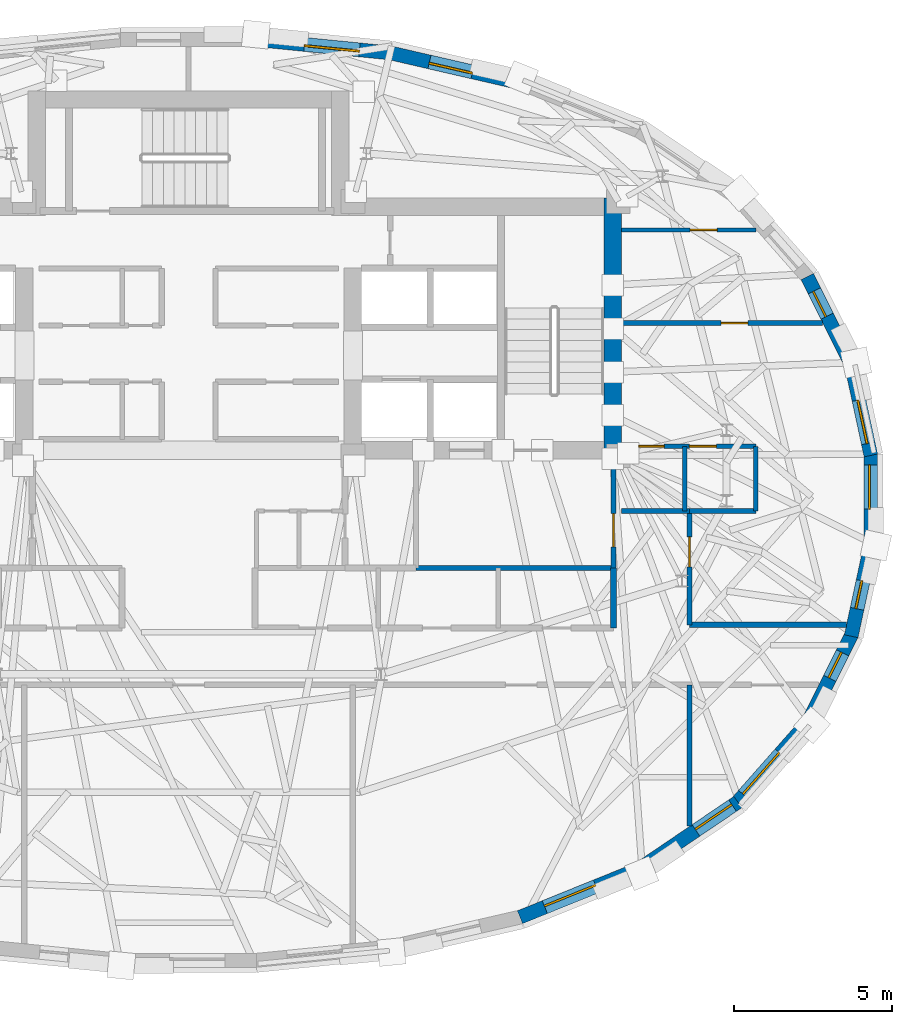
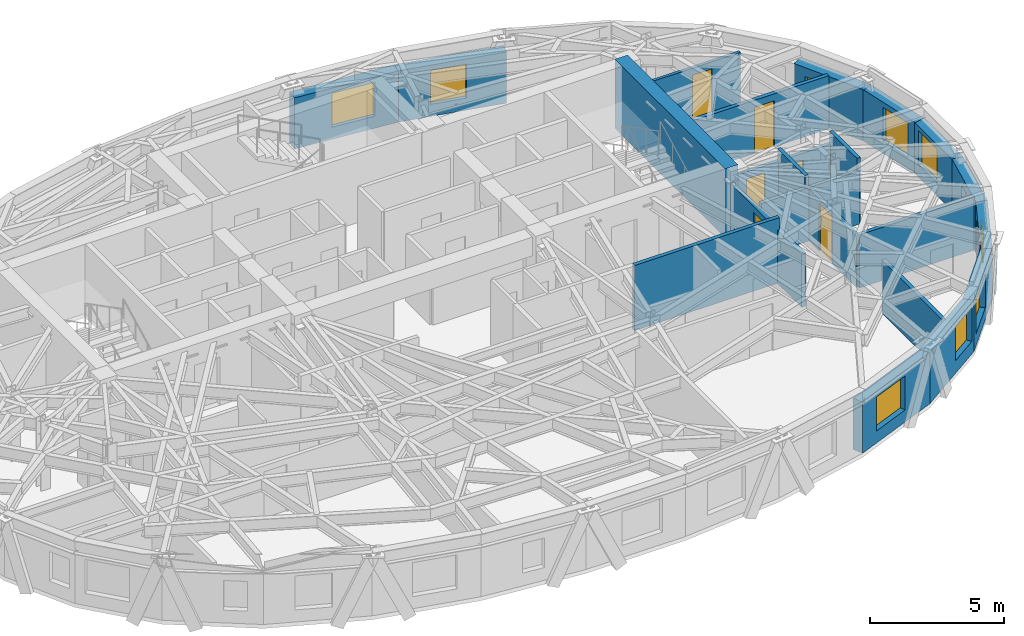
# One storey, part 9 of 13: 24 walls, 10 windows, 6 doors, 16 openings.
"""IFC4 building model written with IfcOpenShell, lengths in metres."""

import ifcopenshell
import ifcopenshell.guid

model = None  # the IFC model being written
_history = None  # IfcOwnerHistory: only IFC2X3 demands one
_inside = {}  # id of a spatial element -> (the spatial element, [elements in it])
_under = {}  # id of a project, library or spatial element -> (it, [spatial elements below it])
_declared = {}  # id of a project -> (the project, [libraries it declares])
_typed = {}  # id of a type object -> (the type object, [elements of that type])
_made_of = {}  # id of a material, layer set ... -> (it, [elements and type objects made of it])


def new_model(schema):
    """Start an empty IFC model of exactly this schema.

    Asked for "IFC4X3", IfcOpenShell would pick the latest addendum, in which some entities
    have other attributes; the version numbers below select the first issue.
    IFC2X3 requires an IfcOwnerHistory on every rooted entity: one is made here for all.
    """
    global model, _history
    if schema == "IFC4X3":
        model = ifcopenshell.file(schema_version=(4, 3, 0, 0))
    else:
        model = ifcopenshell.file(schema=schema)
    _inside.clear()
    _under.clear()
    _declared.clear()
    _typed.clear()
    _made_of.clear()
    _history = None
    if model.schema == "IFC2X3":
        org = make("IfcOrganization", Name="unknown")
        user = make(
            "IfcPersonAndOrganization",
            ThePerson=make("IfcPerson", FamilyName="unknown"),
            TheOrganization=org,
        )
        app = make(
            "IfcApplication",
            ApplicationDeveloper=org,
            Version="unknown",
            ApplicationFullName="unknown",
            ApplicationIdentifier="unknown",
        )
        _history = make(
            "IfcOwnerHistory",
            OwningUser=user,
            OwningApplication=app,
            ChangeAction="ADDED",
            CreationDate=0,
        )
    return model


def make(cls, **values):
    """One entity of the class cls with the attributes given. An attribute that is None is left unset."""
    return model.create_entity(
        cls, **{name: value for name, value in values.items() if value is not None}
    )


def rooted(cls, **values):
    """An entity with a GlobalId (a new one), such as an element, a storey or a relation."""
    return make(cls, GlobalId=ifcopenshell.guid.new(), OwnerHistory=_history, **values)


def si_unit(unit_type, name, prefix=None):
    """IfcSIUnit, for example si_unit("LENGTHUNIT", "METRE", prefix="MILLI")."""
    return make("IfcSIUnit", UnitType=unit_type, Prefix=prefix, Name=name)


def assignment(units):
    """IfcUnitAssignment: the units of a project."""
    return None if units is None else make("IfcUnitAssignment", Units=units)


def point(xyz):
    """IfcCartesianPoint."""
    return None if xyz is None else make("IfcCartesianPoint", Coordinates=xyz)


def direction(xyz):
    """IfcDirection."""
    return None if xyz is None else make("IfcDirection", DirectionRatios=xyz)


def frame(location, z_axis=None, x_axis=None):
    """IfcAxis2Placement3D, a coordinate frame: its origin and axes. An axis left out is left unset."""
    return make(
        "IfcAxis2Placement3D",
        Location=point(location),
        Axis=direction(z_axis),
        RefDirection=direction(x_axis),
    )


def frame_2d(location, x_axis=None):
    """IfcAxis2Placement2D, a coordinate frame in the plane: its origin and x axis."""
    return make(
        "IfcAxis2Placement2D", Location=point(location), RefDirection=direction(x_axis)
    )


def origin():
    """The frame at (0, 0, 0) with its axes left unset."""
    return frame((0.0, 0.0, 0.0))


def place(relative_to, where):
    """IfcLocalPlacement: puts the frame where relative to a parent placement (None: the world)."""
    return make(
        "IfcLocalPlacement", PlacementRelTo=relative_to, RelativePlacement=where
    )


def context(
    kind, dimensions, precision=None, world=None, true_north=None, identifier=None
):
    """IfcGeometricRepresentationContext, for example the 3D "Model" context."""
    return make(
        "IfcGeometricRepresentationContext",
        ContextIdentifier=identifier,
        ContextType=kind,
        CoordinateSpaceDimension=dimensions,
        Precision=precision,
        WorldCoordinateSystem=world,
        TrueNorth=true_north,
    )


def subcontext(parent, identifier, kind, view, scale=None):
    """IfcGeometricRepresentationSubContext, for example "Body" below "Model"."""
    return make(
        "IfcGeometricRepresentationSubContext",
        ContextIdentifier=identifier,
        ContextType=kind,
        ParentContext=parent,
        TargetScale=scale,
        TargetView=view,
    )


def project(units=None, contexts=None):
    """IfcProject with its units and contexts."""
    return rooted(
        "IfcProject",
        Name="project",
        RepresentationContexts=contexts,
        UnitsInContext=assignment(units),
    )


def spatial(cls, under=None, at=None, **own):
    """A site, building, storey or space (cls), placed at a placement, below another one or the project."""
    s = rooted(cls, ObjectPlacement=at, **own)
    if under is not None:
        _under.setdefault(under.id(), (under, []))[1].append(s)
    return s


def profile(cls, at=None, kind="AREA", **sizes):
    """A parametric profile (cls). Its sizes go by their IFC names, for example OverallWidth=200.0."""
    return make(cls, ProfileType=kind, Position=at, **sizes)


def rectangle(**sizes):
    """IfcRectangleProfileDef."""
    return profile("IfcRectangleProfileDef", **sizes)


def extrude(swept, where, along, depth):
    """IfcExtrudedAreaSolid: the profile swept, set in the frame where, extruded along a direction by depth."""
    return make(
        "IfcExtrudedAreaSolid",
        SweptArea=swept,
        Position=where,
        ExtrudedDirection=direction(along),
        Depth=depth,
    )


def shape(context_of_items, identifier, shape_type, items):
    """IfcShapeRepresentation: the items that make up one representation, for example the "Body"."""
    return make(
        "IfcShapeRepresentation",
        ContextOfItems=context_of_items,
        RepresentationIdentifier=identifier,
        RepresentationType=shape_type,
        Items=items,
    )


def material(Name=None, Category=None):
    """IfcMaterial."""
    return make("IfcMaterial", Name=Name, Category=Category)


def layer(
    of_material, thickness, ventilated=None, Name=None, Category=None, Priority=None
):
    """IfcMaterialLayer: one layer of a wall or slab, of a material (None: an air gap)."""
    return make(
        "IfcMaterialLayer",
        Material=of_material,
        LayerThickness=thickness,
        IsVentilated=ventilated,
        Name=Name,
        Category=Category,
        Priority=Priority,
    )


def layer_set(layers, Name=None):
    """IfcMaterialLayerSet."""
    return make("IfcMaterialLayerSet", MaterialLayers=layers, LayerSetName=Name)


def made_of(thing, what):
    """Note that an element or type object is made of a material, layer set ...; save() writes the relation."""
    if what is not None:
        _made_of.setdefault(what.id(), (what, []))[1].append(thing)
    return thing


def type_object(cls, material=None, **own):
    """A type object (cls), such as IfcWallType, which elements share."""
    return made_of(rooted(cls, **own), material)


def element(
    cls,
    number,
    at=None,
    inside=None,
    cuts=None,
    type_object=None,
    material=None,
    context=None,
    identifier="Body",
    shape_type=None,
    held_by="IfcProductDefinitionShape",
    body=None,
    shapes=None,
    **own,
):
    """One element of the class cls, such as IfcWall. Its Tag is "e" and its number.

    at: its placement. inside: the storey or other place that contains it. cuts: it is an
    opening in that element (IfcRelVoidsElement). A single representation is given by context,
    identifier, shape_type and body (its items); several are given by shapes. held_by: the class
    of the entity that holds the representations. save() writes the other relations.
    """
    e = rooted(cls, Tag="e%d" % number, ObjectPlacement=at, **own)
    if body is not None:
        shapes = [shape(context, identifier, shape_type, body)]
    if shapes is not None:
        e.Representation = make(held_by, Representations=shapes)
    if inside is not None:
        _inside.setdefault(inside.id(), (inside, []))[1].append(e)
    if cuts is not None:
        rooted(
            "IfcRelVoidsElement", RelatingBuildingElement=cuts, RelatedOpeningElement=e
        )
    if type_object is not None:
        _typed.setdefault(type_object.id(), (type_object, []))[1].append(e)
    return made_of(e, material)


def fill(opening, filler):
    """IfcRelFillsElement: the door or window that sits in an opening."""
    return rooted(
        "IfcRelFillsElement",
        RelatingOpeningElement=opening,
        RelatedBuildingElement=filler,
    )


def aggregate(whole, parts):
    """IfcRelAggregates: a whole, such as a stair, and the parts it consists of."""
    return rooted("IfcRelAggregates", RelatingObject=whole, RelatedObjects=parts)


def save(model, path):
    """Write the relations noted so far, then the file.

    IfcRelAggregates (storeys below a building ...), IfcRelContainedInSpatialStructure (elements
    in a storey), IfcRelDefinesByType, IfcRelAssociatesMaterial and IfcRelDeclares: one each for
    every whole, place, type object, material and project.
    """
    for whole, parts in _under.values():
        aggregate(whole, parts)
    for where, things in _inside.values():
        rooted(
            "IfcRelContainedInSpatialStructure",
            RelatedElements=things,
            RelatingStructure=where,
        )
    for kind, things in _typed.values():
        rooted("IfcRelDefinesByType", RelatedObjects=things, RelatingType=kind)
    for what, things in _made_of.values():
        rooted("IfcRelAssociatesMaterial", RelatedObjects=things, RelatingMaterial=what)
    for by, libraries in _declared.values():
        rooted("IfcRelDeclares", RelatingContext=by, RelatedDefinitions=libraries)
    model.write(path)


model = new_model("IFC4")

# Units and contexts
model_context = context("Model", 3, precision=1e-05, world=origin(), true_north=direction((0.0, 1.0)))
body_context = subcontext(model_context, "Body", "Model", "MODEL_VIEW")
ifc_project = project(units=[si_unit("LENGTHUNIT", "METRE"), si_unit("AREAUNIT", "SQUARE_METRE"), si_unit("VOLUMEUNIT", "CUBIC_METRE"), si_unit("PLANEANGLEUNIT", "RADIAN"), si_unit("MASSUNIT", "GRAM", prefix="KILO")], contexts=[model_context])

# Site, building, storey
site_placement = place(None, origin())
site = spatial("IfcSite", under=ifc_project, at=site_placement, CompositionType="ELEMENT")
building_placement = place(site_placement, origin())
building = spatial("IfcBuilding", under=site, at=building_placement, Name="Keldmark Tower", CompositionType="ELEMENT")
storey_placement = place(building_placement, frame((0.0, 0.0, 241.5)))
storey = spatial("IfcBuildingStorey", under=building, at=storey_placement, Name="L68", CompositionType="ELEMENT", Elevation=241.5)

# Walls
ifc_material_1 = material(Name="Heavy Acoustic Plumbing Chase Gypsum Assembly", Category="gypsum")
ifc_layer_1 = layer(ifc_material_1, 0.18994140625)
ifc_layer_set_1 = layer_set([ifc_layer_1], Name="Heavy Acoustic Plumbing Chase Gypsum Assembly")
wall_type_1 = type_object("IfcWallType", Name="Heavy Wet Wall 190 mm", PredefinedType="PLUMBINGWALL", material=ifc_layer_set_1)
wall_1_placement = place(storey_placement, frame((13.449951171875, -4.050048828125, 0.0), z_axis=(0.0, 0.0, 1.0), x_axis=(0.0, 1.0, 0.0)))
element("IfcWall", 1, at=wall_1_placement, inside=storey, type_object=wall_type_1, Name="L68 Heavy Wet Wall 190 mm SPK-E-E", PredefinedType="PLUMBINGWALL", context=body_context, shape_type="SweptSolid", body=[
    extrude(rectangle(XDim=1.900146484375, YDim=0.18994140625, at=frame_2d((0.9501953125, 0.0))), origin(), (0.0, 0.0, 1.0), 2.423095703125),
])
ifc_material_2 = material(Name="Concrete C50/60", Category="concrete")
ifc_layer_2 = layer(ifc_material_2, 0.550048828125)
ifc_layer_set_2 = layer_set([ifc_layer_2], Name="Concrete C50/60")
wall_type_2 = type_object("IfcWallType", Name="High-Rise Core Shear Wall 550 mm", PredefinedType="SHEAR", material=ifc_layer_set_2)
wall_2_placement = place(storey_placement, frame((13.425048828125, 1.300048828125, 0.0), z_axis=(0.0, 0.0, 1.0), x_axis=(0.0, 1.0, 0.0)))
element("IfcWall", 2, at=wall_2_placement, inside=storey, type_object=wall_type_2, Name="L68 East Core Outer Shear Wall", PredefinedType="SHEAR", context=body_context, shape_type="SweptSolid", body=[
    extrude(rectangle(XDim=8.25, YDim=0.550048828125, at=frame_2d((4.125, 0.0))), origin(), (0.0, 0.0, 1.0), 3.14990234375),
])

# Wall, opening, door
ifc_material_3 = material(Name="Acoustic Gypsum Board Interior Partition", Category="gypsum")
ifc_layer_3 = layer(ifc_material_3, 0.1298828125)
ifc_layer_set_3 = layer_set([ifc_layer_3], Name="Acoustic Gypsum Board Interior Partition")
wall_type_3 = type_object("IfcWallType", Name="Interior Partition 130 mm", PredefinedType="PARTITIONING", material=ifc_layer_set_3)
wall_3_placement = place(storey_placement, frame((13.699951171875, 8.550048828125, 0.0), z_axis=(0.0, 0.0, 1.0), x_axis=(1.0, 0.0, 0.0)))
wall_3 = element("IfcWall", 3, at=wall_3_placement, inside=storey, type_object=wall_type_3, Name="L68 Interior Partition 130 mm UA-NDIV2", PredefinedType="PARTITIONING", context=body_context, shape_type="SweptSolid", body=[
    extrude(rectangle(XDim=4.25830078125, YDim=0.1298828125, at=frame_2d((2.129150390625, 0.0))), origin(), (0.0, 0.0, 1.0), 2.423095703125),
])
opening_1_placement = place(wall_3_placement, frame((2.176025390625, 0.0, 0.0)))
opening_1 = element("IfcOpeningElement", 4, at=opening_1_placement, cuts=wall_3, Name="Opening D-IN085", PredefinedType="OPENING", context=body_context, shape_type="SweptSolid", body=[
    extrude(rectangle(XDim=0.85009765625, YDim=2.10009765625, at=frame_2d((0.425048828125, 1.050048828125))), frame((0.0, 0.074951171875, 0.0), z_axis=(0.0, -1.0, 0.0), x_axis=(1.0, 0.0, 0.0)), (0.0, 0.0, 1.0), 0.14990234375),
])
ifc_material_4 = material(Name="Painted Architectural Wood", Category="wood")
door_type_1 = type_object("IfcDoorType", Name="Interior Door 850x2100", OperationType="NOTDEFINED", PredefinedType="DOOR", material=ifc_material_4)
door_1_placement = place(opening_1_placement, origin())
door_1 = element("IfcDoor", 5, at=door_1_placement, inside=storey, type_object=door_type_1, Name="L68 Interior Door 850x2100 D-UA-BR2-L68", OperationType="SINGLE_SWING_RIGHT", OverallHeight=2.10009765625, OverallWidth=0.85009765625, PredefinedType="DOOR", context=body_context, shape_type="SweptSolid", body=[
    extrude(rectangle(XDim=0.85009765625, YDim=2.10009765625, at=frame_2d((0.425048828125, 1.050048828125))), frame((0.0, 0.02490234375, 0.0), z_axis=(0.0, -1.0, 0.0), x_axis=(1.0, 0.0, 0.0)), (0.0, 0.0, 1.0), 0.050048828125),
])
fill(opening_1, door_1)

# Wall
ifc_material_5 = material(Name="Type X Fire-Rated Gypsum Partition Assembly", Category="gypsum")
ifc_layer_4 = layer(ifc_material_5, 0.1650390625)
ifc_layer_set_4 = layer_set([ifc_layer_4], Name="Type X Fire-Rated Gypsum Partition Assembly")
wall_type_4 = type_object("IfcWallType", Name="Rated Partition 165 mm", PredefinedType="PARTITIONING", material=ifc_layer_set_4)
wall_4_placement = place(storey_placement, frame((7.199951171875, -2.14990234375, 0.0), z_axis=(0.0, 0.0, 1.0), x_axis=(1.0, 0.0, 0.0)))
element("IfcWall", 6, at=wall_4_placement, inside=storey, type_object=wall_type_4, Name="L68 Rated Partition 165 mm FSAE-E-S", PredefinedType="PARTITIONING", context=body_context, shape_type="SweptSolid", body=[
    extrude(rectangle(XDim=6.25, YDim=0.1650390625, at=frame_2d((3.125, 0.0))), origin(), (0.0, 0.0, 1.0), 2.969970703125),
])

# Wall, opening, door
wall_5_placement = place(storey_placement, frame((13.449951171875, -2.14990234375, 0.0), z_axis=(0.0, 0.0, 1.0), x_axis=(0.0, 1.0, 0.0)))
wall_5 = element("IfcWall", 7, at=wall_5_placement, inside=storey, type_object=wall_type_4, Name="L68 Rated Partition 165 mm FSAE-E-E", PredefinedType="PARTITIONING", context=body_context, shape_type="SweptSolid", body=[
    extrude(rectangle(XDim=3.5, YDim=0.1650390625, at=frame_2d((1.75, 0.0))), origin(), (0.0, 0.0, 1.0), 2.423095703125),
])
opening_2_placement = place(wall_5_placement, frame((0.669921875, 0.0, 0.0)))
opening_2 = element("IfcOpeningElement", 8, at=opening_2_placement, cuts=wall_5, Name="Opening D-FL105", PredefinedType="OPENING", context=body_context, shape_type="SweptSolid", body=[
    extrude(rectangle(XDim=1.050048828125, YDim=2.14990234375, at=frame_2d((0.52490234375, 1.074951171875))), frame((0.0, 0.092529296875, 0.0), z_axis=(0.0, -1.0, 0.0), x_axis=(1.0, 0.0, 0.0)), (0.0, 0.0, 1.0), 0.18505859375),
])
ifc_material_6 = material(Name="Fire-Rated Mineral-Core Door and Vision Lite", Category="metal")
door_type_2 = type_object("IfcDoorType", Name="Fire Lobby Door 1050x2150", OperationType="NOTDEFINED", PredefinedType="DOOR", material=ifc_material_6)
door_2_placement = place(opening_2_placement, origin())
door_2 = element("IfcDoor", 9, at=door_2_placement, inside=storey, type_object=door_type_2, Name="L68 Fire Lobby Door 1050x2150 D-FSAEE-OUT-L68", OperationType="SINGLE_SWING_RIGHT", OverallHeight=2.14990234375, OverallWidth=1.050048828125, PredefinedType="DOOR", context=body_context, shape_type="SweptSolid", body=[
    extrude(rectangle(XDim=1.050048828125, YDim=2.14990234375, at=frame_2d((0.52490234375, 1.074951171875))), frame((0.0, 0.02490234375, 0.0), z_axis=(0.0, -1.0, 0.0), x_axis=(1.0, 0.0, 0.0)), (0.0, 0.0, 1.0), 0.050048828125),
])
fill(opening_2, door_2)

# Wall
wall_6_placement = place(storey_placement, frame((15.85009765625, -3.949951171875, 0.0), z_axis=(0.0, 0.0, 1.0), x_axis=(1.0, 0.0, 0.0)))
element("IfcWall", 10, at=wall_6_placement, inside=storey, type_object=wall_type_4, Name="L68 Rated Partition 165 mm RCOR-EN-OUT", PredefinedType="PARTITIONING", context=body_context, shape_type="SweptSolid", body=[
    extrude(rectangle(XDim=4.9638671875, YDim=0.1650390625, at=frame_2d((2.48193359375, 0.0))), origin(), (0.0, 0.0, 1.0), 2.423095703125),
])

# Wall, opening, door
wall_7_placement = place(storey_placement, frame((15.85009765625, -3.949951171875, 0.0), z_axis=(0.0, 0.0, 1.0), x_axis=(0.0, 1.0, 0.0)))
wall_7 = element("IfcWall", 11, at=wall_7_placement, inside=storey, type_object=wall_type_4, Name="L68 Rated Partition 165 mm RCOR-VE", PredefinedType="PARTITIONING", context=body_context, shape_type="SweptSolid", body=[
    extrude(rectangle(XDim=3.599853515625, YDim=0.1650390625, at=frame_2d((1.7998046875, 0.0))), origin(), (0.0, 0.0, 1.0), 2.35693359375),
])
opening_3_placement = place(wall_7_placement, frame((1.830078125, 0.0, 0.0)))
opening_3 = element("IfcOpeningElement", 12, at=opening_3_placement, cuts=wall_7, Name="Opening D-AP095", PredefinedType="OPENING", context=body_context, shape_type="SweptSolid", body=[
    extrude(rectangle(XDim=0.949951171875, YDim=2.14990234375, at=frame_2d((0.47509765625, 1.074951171875))), frame((0.0, 0.092529296875, 0.0), z_axis=(0.0, -1.0, 0.0), x_axis=(1.0, 0.0, 0.0)), (0.0, 0.0, 1.0), 0.18505859375),
])
ifc_material_7 = material(Name="Solid-Core Walnut Fire-Rated Entry Assembly", Category="wood")
door_type_3 = type_object("IfcDoorType", Name="Apartment Entry Door 950x2150", OperationType="NOTDEFINED", PredefinedType="DOOR", material=ifc_material_7)
door_3_placement = place(opening_3_placement, origin())
door_3 = element("IfcDoor", 13, at=door_3_placement, inside=storey, type_object=door_type_3, Name="L68 Apartment Entry Door 950x2150 D-UA-ENT-L68", OperationType="SINGLE_SWING_RIGHT", OverallHeight=2.14990234375, OverallWidth=0.949951171875, PredefinedType="DOOR", context=body_context, shape_type="SweptSolid", body=[
    extrude(rectangle(XDim=0.949951171875, YDim=2.14990234375, at=frame_2d((0.47509765625, 1.074951171875))), frame((0.0, 0.02490234375, 0.0), z_axis=(0.0, -1.0, 0.0), x_axis=(1.0, 0.0, 0.0)), (0.0, 0.0, 1.0), 0.050048828125),
])
fill(opening_3, door_3)

# Wall
wall_8_placement = place(storey_placement, frame((13.699951171875, -0.35009765625, 0.0), z_axis=(0.0, 0.0, 1.0), x_axis=(1.0, 0.0, 0.0)))
element("IfcWall", 14, at=wall_8_placement, inside=storey, type_object=wall_type_4, Name="L68 Rated Partition 165 mm RCOR-VEN", PredefinedType="PARTITIONING", context=body_context, shape_type="SweptSolid", body=[
    extrude(rectangle(XDim=2.150146484375, YDim=0.1650390625, at=frame_2d((1.0751953125, 0.0))), origin(), (0.0, 0.0, 1.0), 2.423095703125),
])

# Wall, opening, door
wall_9_placement = place(storey_placement, frame((13.699951171875, 5.60009765625, 0.0), z_axis=(0.0, 0.0, 1.0), x_axis=(1.0, 0.0, 0.0)))
wall_9 = element("IfcWall", 15, at=wall_9_placement, inside=storey, type_object=wall_type_4, Name="L68 Rated Partition 165 mm RE-NDIV", PredefinedType="PARTITIONING", context=body_context, shape_type="SweptSolid", body=[
    extrude(rectangle(XDim=6.35986328125, YDim=0.1650390625, at=frame_2d((3.179931640625, 0.0))), origin(), (0.0, 0.0, 1.0), 2.423095703125),
])
opening_4_placement = place(wall_9_placement, frame((3.15087890625, 0.0, 0.0)))
opening_4 = element("IfcOpeningElement", 16, at=opening_4_placement, cuts=wall_9, Name="Opening D-BR085", PredefinedType="OPENING", context=body_context, shape_type="SweptSolid", body=[
    extrude(rectangle(XDim=0.85009765625, YDim=2.10009765625, at=frame_2d((0.425048828125, 1.050048828125))), frame((0.0, 0.092529296875, 0.0), z_axis=(0.0, -1.0, 0.0), x_axis=(1.0, 0.0, 0.0)), (0.0, 0.0, 1.0), 0.18505859375),
])
ifc_material_8 = material(Name="Solid-Core Stained Walnut Wood", Category="wood")
door_type_4 = type_object("IfcDoorType", Name="Bedroom Door 850x2100", OperationType="NOTDEFINED", PredefinedType="DOOR", material=ifc_material_8)
door_4_placement = place(opening_4_placement, origin())
door_4 = element("IfcDoor", 17, at=door_4_placement, inside=storey, type_object=door_type_4, Name="L68 Bedroom Door 850x2100 D-UA-BR1-L68", OperationType="SINGLE_SWING_LEFT", OverallHeight=2.10009765625, OverallWidth=0.85009765625, PredefinedType="DOOR", context=body_context, shape_type="SweptSolid", body=[
    extrude(rectangle(XDim=0.85009765625, YDim=2.10009765625, at=frame_2d((0.425048828125, 1.050048828125))), frame((0.0, 0.02490234375, 0.0), z_axis=(0.0, -1.0, 0.0), x_axis=(1.0, 0.0, 0.0)), (0.0, 0.0, 1.0), 0.050048828125),
])
fill(opening_4, door_4)

# Wall
wall_10_placement = place(storey_placement, frame((15.85009765625, -10.322265625, 0.0), z_axis=(0.0, 0.0, 1.0), x_axis=(0.0, 1.0, 0.0)))
element("IfcWall", 18, at=wall_10_placement, inside=storey, type_object=wall_type_4, Name="L68 Rated Partition 165 mm RS-ECAP", PredefinedType="PARTITIONING", context=body_context, shape_type="SweptSolid", body=[
    extrude(rectangle(XDim=4.47216796875, YDim=0.1650390625, at=frame_2d((2.236083984375, 0.0))), origin(), (0.0, 0.0, 1.0), 2.423095703125),
])

# Wall, opening, window
ifc_material_9 = material(Name="Ironspot Manganese Brick and Kasota Buff Limestone Spandrel Assembly", Category="masonry")
ifc_layer_5 = layer(ifc_material_9, 0.43994140625)
ifc_layer_set_5 = layer_set([ifc_layer_5], Name="Ironspot Manganese Brick and Kasota Buff Limestone Spandrel Assembly")
wall_type_5 = type_object("IfcWallType", Name="Tower Brick Pier and Spandrel Wall 440 mm", PredefinedType="STANDARD", material=ifc_layer_set_5)
wall_11_placement = place(storey_placement, frame((20.969482421875, 4.311279296875, 0.0), z_axis=(0.0, 0.0, 1.0), x_axis=(0.210540350534, -0.977585168053, 0.0)))
wall_11 = element("IfcWall", 19, at=wall_11_placement, inside=storey, type_object=wall_type_5, Name="L68 Exterior Brick and Spandrel Wall 01", PredefinedType="STANDARD", context=body_context, shape_type="SweptSolid", body=[
    extrude(rectangle(XDim=2.96728515625, YDim=0.43994140625, at=frame_2d((1.483642578125, 0.0))), origin(), (0.0, 0.0, 1.0), 2.3359375),
])
opening_5_placement = place(wall_11_placement, frame((1.1728515625, 0.0, 0.550048828125)))
opening_5 = element("IfcOpeningElement", 20, at=opening_5_placement, cuts=wall_11, Name="Opening W-08", PredefinedType="OPENING", context=body_context, shape_type="SweptSolid", body=[
    extrude(rectangle(XDim=1.39990234375, YDim=1.550048828125, at=frame_2d((0.699951171875, 0.77490234375))), frame((0.0, 0.22998046875, 0.0), z_axis=(0.0, -1.0, 0.0), x_axis=(1.0, 0.0, 0.0)), (0.0, 0.0, 1.0), 0.4599609375),
])
ifc_material_10 = material(Name="Thermally Broken Anodized Aluminum and Triple Low-E Argon Glazing", Category="aluminium")
window_type_1 = type_object("IfcWindowType", Name="Residential Corner Punched Window 1400x1550", PartitioningType="SINGLE_PANEL", PredefinedType="WINDOW", material=ifc_material_10)
window_1_placement = place(opening_5_placement, origin())
window_1 = element("IfcWindow", 21, at=window_1_placement, inside=storey, type_object=window_type_1, Name="L68 Deep-Set Window 01", OverallHeight=1.550048828125, OverallWidth=1.39990234375, PartitioningType="SINGLE_PANEL", PredefinedType="WINDOW", context=body_context, shape_type="SweptSolid", body=[
    extrude(rectangle(XDim=1.39990234375, YDim=1.550048828125, at=frame_2d((0.699951171875, 0.77490234375))), frame((0.0, -0.010009765625, 0.0), z_axis=(0.0, -1.0, 0.0), x_axis=(1.0, 0.0, 0.0)), (0.0, 0.0, 1.0), 0.06005859375),
])
fill(opening_5, window_1)

wall_12_placement = place(storey_placement, frame((19.578125, 7.068603515625, 0.0), z_axis=(0.0, 0.0, 1.0), x_axis=(0.448424724145, -0.893820601002, 0.0)))
wall_12 = element("IfcWall", 22, at=wall_12_placement, inside=storey, type_object=wall_type_5, Name="L68 Exterior Brick and Spandrel Wall 02", PredefinedType="STANDARD", context=body_context, shape_type="SweptSolid", body=[
    extrude(rectangle(XDim=3.1435546875, YDim=0.43994140625, at=frame_2d((1.57177734375, 0.0))), origin(), (0.0, 0.0, 1.0), 2.3359375),
])
opening_6_placement = place(wall_12_placement, frame((0.4990234375, 0.0, 0.580078125)))
opening_6 = element("IfcOpeningElement", 23, at=opening_6_placement, cuts=wall_12, Name="Opening W-09", PredefinedType="OPENING", context=body_context, shape_type="SweptSolid", body=[
    extrude(rectangle(XDim=0.89990234375, YDim=1.35009765625, at=frame_2d((0.449951171875, 0.675048828125))), frame((0.0, 0.22998046875, 0.0), z_axis=(0.0, -1.0, 0.0), x_axis=(1.0, 0.0, 0.0)), (0.0, 0.0, 1.0), 0.4599609375),
])
ifc_material_11 = material(Name="Thermally Broken Anodized Aluminum and Triple Low-E Argon Glazing", Category="aluminium")
window_type_2 = type_object("IfcWindowType", Name="Corner Pier Deep-Set Window 900x1350", PartitioningType="SINGLE_PANEL", PredefinedType="WINDOW", material=ifc_material_11)
window_2_placement = place(opening_6_placement, origin())
window_2 = element("IfcWindow", 24, at=window_2_placement, inside=storey, type_object=window_type_2, Name="L68 Deep-Set Window 02", OverallHeight=1.35009765625, OverallWidth=0.89990234375, PartitioningType="SINGLE_PANEL", PredefinedType="WINDOW", context=body_context, shape_type="SweptSolid", body=[
    extrude(rectangle(XDim=0.89990234375, YDim=1.35009765625, at=frame_2d((0.449951171875, 0.675048828125))), frame((0.0, -0.010009765625, 0.0), z_axis=(0.0, -1.0, 0.0), x_axis=(1.0, 0.0, 0.0)), (0.0, 0.0, 1.0), 0.06005859375),
])
fill(opening_6, window_2)

wall_13_placement = place(storey_placement, frame((6.376708984375, 14.150634765625, 0.0), z_axis=(0.0, 0.0, 1.0), x_axis=(0.974398936081, -0.224825962391, 0.0)))
wall_13 = element("IfcWall", 25, at=wall_13_placement, inside=storey, type_object=wall_type_5, Name="L68 Exterior Brick and Spandrel Wall 06", PredefinedType="STANDARD", context=body_context, shape_type="SweptSolid", body=[
    extrude(rectangle(XDim=4.25244140625, YDim=0.43994140625, at=frame_2d((2.126220703125, 0.0))), origin(), (0.0, 0.0, 1.0), 2.3359375),
])
opening_7_placement = place(wall_13_placement, frame((1.279052734375, 0.0, 0.550048828125)))
opening_7 = element("IfcOpeningElement", 26, at=opening_7_placement, cuts=wall_13, Name="Opening W-08", PredefinedType="OPENING", context=body_context, shape_type="SweptSolid", body=[
    extrude(rectangle(XDim=1.39990234375, YDim=1.550048828125, at=frame_2d((0.699951171875, 0.77490234375))), frame((0.0, 0.22998046875, 0.0), z_axis=(0.0, -1.0, 0.0), x_axis=(1.0, 0.0, 0.0)), (0.0, 0.0, 1.0), 0.4599609375),
])
window_3_placement = place(opening_7_placement, origin())
window_3 = element("IfcWindow", 27, at=window_3_placement, inside=storey, type_object=window_type_1, Name="L68 Deep-Set Window 06", OverallHeight=1.550048828125, OverallWidth=1.39990234375, PartitioningType="SINGLE_PANEL", PredefinedType="WINDOW", context=body_context, shape_type="SweptSolid", body=[
    extrude(rectangle(XDim=1.39990234375, YDim=1.550048828125, at=frame_2d((0.699951171875, 0.77490234375))), frame((0.0, -0.010009765625, 0.0), z_axis=(0.0, -1.0, 0.0), x_axis=(1.0, 0.0, 0.0)), (0.0, 0.0, 1.0), 0.06005859375),
])
fill(opening_7, window_3)

wall_14_placement = place(storey_placement, frame((2.126220703125, 14.56982421875, 0.0), z_axis=(0.0, 0.0, 1.0), x_axis=(0.995134540264, -0.098525361068, 0.0)))
wall_14 = element("IfcWall", 28, at=wall_14_placement, inside=storey, type_object=wall_type_5, Name="L68 Exterior Brick and Spandrel Wall 07", PredefinedType="STANDARD", context=body_context, shape_type="SweptSolid", body=[
    extrude(rectangle(XDim=4.29931640625, YDim=0.43994140625, at=frame_2d((2.149658203125, 0.0))), origin(), (0.0, 0.0, 1.0), 2.3359375),
])
opening_8_placement = place(wall_14_placement, frame((1.549560546875, 0.0, 0.550048828125)))
opening_8 = element("IfcOpeningElement", 29, at=opening_8_placement, cuts=wall_14, Name="Opening W-05", PredefinedType="OPENING", context=body_context, shape_type="SweptSolid", body=[
    extrude(rectangle(XDim=1.75, YDim=1.550048828125, at=frame_2d((0.875, 0.77490234375))), frame((0.0, 0.22998046875, 0.0), z_axis=(0.0, -1.0, 0.0), x_axis=(1.0, 0.0, 0.0)), (0.0, 0.0, 1.0), 0.4599609375),
])
ifc_material_12 = material(Name="Thermally Broken Anodized Aluminum and Triple Low-E Argon Glazing", Category="aluminium")
window_type_3 = type_object("IfcWindowType", Name="Residential Deep-Set Window 1750x1550", PartitioningType="DOUBLE_PANEL_VERTICAL", PredefinedType="WINDOW", material=ifc_material_12)
window_4_placement = place(opening_8_placement, origin())
window_4 = element("IfcWindow", 30, at=window_4_placement, inside=storey, type_object=window_type_3, Name="L68 Deep-Set Window 07", OverallHeight=1.550048828125, OverallWidth=1.75, PartitioningType="SINGLE_PANEL", PredefinedType="WINDOW", context=body_context, shape_type="SweptSolid", body=[
    extrude(rectangle(XDim=1.75, YDim=1.550048828125, at=frame_2d((0.875, 0.77490234375))), frame((0.0, -0.010009765625, 0.0), z_axis=(0.0, -1.0, 0.0), x_axis=(1.0, 0.0, 0.0)), (0.0, 0.0, 1.0), 0.06005859375),
])
fill(opening_8, window_4)

wall_15_placement = place(storey_placement, frame((14.283203125, -11.666015625, 0.0), z_axis=(0.0, 0.0, 1.0), x_axis=(-0.926731976866, -0.375723093586, 0.0)))
wall_15 = element("IfcWall", 31, at=wall_15_placement, inside=storey, type_object=wall_type_5, Name="L68 Exterior Brick and Spandrel Wall 27", PredefinedType="STANDARD", context=body_context, shape_type="SweptSolid", body=[
    extrude(rectangle(XDim=4.09619140625, YDim=0.43994140625, at=frame_2d((2.048095703125, 0.0))), origin(), (0.0, 0.0, 1.0), 2.3359375),
])
opening_9_placement = place(wall_15_placement, frame((1.49755859375, 0.0, 0.550048828125)))
opening_9 = element("IfcOpeningElement", 32, at=opening_9_placement, cuts=wall_15, Name="Opening W-05", PredefinedType="OPENING", context=body_context, shape_type="SweptSolid", body=[
    extrude(rectangle(XDim=1.75, YDim=1.550048828125, at=frame_2d((0.875, 0.77490234375))), frame((0.0, 0.22998046875, 0.0), z_axis=(0.0, -1.0, 0.0), x_axis=(1.0, 0.0, 0.0)), (0.0, 0.0, 1.0), 0.4599609375),
])
window_5_placement = place(opening_9_placement, origin())
window_5 = element("IfcWindow", 33, at=window_5_placement, inside=storey, type_object=window_type_3, Name="L68 Deep-Set Window 27", OverallHeight=1.550048828125, OverallWidth=1.75, PartitioningType="SINGLE_PANEL", PredefinedType="WINDOW", context=body_context, shape_type="SweptSolid", body=[
    extrude(rectangle(XDim=1.75, YDim=1.550048828125, at=frame_2d((0.875, 0.77490234375))), frame((0.0, -0.010009765625, 0.0), z_axis=(0.0, -1.0, 0.0), x_axis=(1.0, 0.0, 0.0)), (0.0, 0.0, 1.0), 0.06005859375),
])
fill(opening_9, window_5)

wall_16_placement = place(storey_placement, frame((17.38134765625, -9.559326171875, 0.0), z_axis=(0.0, 0.0, 1.0), x_axis=(-0.827637036896, -0.561263694851, 0.0)))
wall_16 = element("IfcWall", 34, at=wall_16_placement, inside=storey, type_object=wall_type_5, Name="L68 Exterior Brick and Spandrel Wall 28", PredefinedType="STANDARD", context=body_context, shape_type="SweptSolid", body=[
    extrude(rectangle(XDim=3.792724609375, YDim=0.43994140625, at=frame_2d((1.896484375, 0.0))), origin(), (0.0, 0.0, 1.0), 2.3359375),
])
opening_10_placement = place(wall_16_placement, frame((0.199951171875, 0.0, 0.580078125)))
opening_10 = element("IfcOpeningElement", 35, at=opening_10_placement, cuts=wall_16, Name="Opening W-08", PredefinedType="OPENING", context=body_context, shape_type="SweptSolid", body=[
    extrude(rectangle(XDim=1.39990234375, YDim=1.550048828125, at=frame_2d((0.699951171875, 0.77490234375))), frame((0.0, 0.22998046875, 0.0), z_axis=(0.0, -1.0, 0.0), x_axis=(1.0, 0.0, 0.0)), (0.0, 0.0, 1.0), 0.4599609375),
])
window_6_placement = place(opening_10_placement, origin())
window_6 = element("IfcWindow", 36, at=window_6_placement, inside=storey, type_object=window_type_1, Name="L68 Deep-Set Window 28", OverallHeight=1.550048828125, OverallWidth=1.39990234375, PartitioningType="SINGLE_PANEL", PredefinedType="WINDOW", context=body_context, shape_type="SweptSolid", body=[
    extrude(rectangle(XDim=1.39990234375, YDim=1.550048828125, at=frame_2d((0.699951171875, 0.77490234375))), frame((0.0, -0.010009765625, 0.0), z_axis=(0.0, -1.0, 0.0), x_axis=(1.0, 0.0, 0.0)), (0.0, 0.0, 1.0), 0.06005859375),
])
fill(opening_10, window_6)

wall_17_placement = place(storey_placement, frame((19.609619140625, -7.021728515625, 0.0), z_axis=(0.0, 0.0, 1.0), x_axis=(-0.66136043846, -0.750068243855, 0.0)))
wall_17 = element("IfcWall", 37, at=wall_17_placement, inside=storey, type_object=wall_type_5, Name="L68 Exterior Brick and Spandrel Wall 29", PredefinedType="STANDARD", context=body_context, shape_type="SweptSolid", body=[
    extrude(rectangle(XDim=3.431884765625, YDim=0.43994140625, at=frame_2d((1.7158203125, 0.0))), origin(), (0.0, 0.0, 1.0), 2.3359375),
])
opening_11_placement = place(wall_17_placement, frame((1.333984375, 0.0, 0.550048828125)))
opening_11 = element("IfcOpeningElement", 38, at=opening_11_placement, cuts=wall_17, Name="Opening W-05", PredefinedType="OPENING", context=body_context, shape_type="SweptSolid", body=[
    extrude(rectangle(XDim=1.75, YDim=1.550048828125, at=frame_2d((0.875, 0.77490234375))), frame((0.0, 0.22998046875, 0.0), z_axis=(0.0, -1.0, 0.0), x_axis=(1.0, 0.0, 0.0)), (0.0, 0.0, 1.0), 0.4599609375),
])
window_7_placement = place(opening_11_placement, origin())
window_7 = element("IfcWindow", 39, at=window_7_placement, inside=storey, type_object=window_type_3, Name="L68 Deep-Set Window 29", OverallHeight=1.550048828125, OverallWidth=1.75, PartitioningType="SINGLE_PANEL", PredefinedType="WINDOW", context=body_context, shape_type="SweptSolid", body=[
    extrude(rectangle(XDim=1.75, YDim=1.550048828125, at=frame_2d((0.875, 0.77490234375))), frame((0.0, -0.010009765625, 0.0), z_axis=(0.0, -1.0, 0.0), x_axis=(1.0, 0.0, 0.0)), (0.0, 0.0, 1.0), 0.06005859375),
])
fill(opening_11, window_7)

wall_18_placement = place(storey_placement, frame((20.98779296875, -4.2587890625, 0.0), z_axis=(0.0, 0.0, 1.0), x_axis=(-0.448424724145, -0.893820601002, 0.0)))
wall_18 = element("IfcWall", 40, at=wall_18_placement, inside=storey, type_object=wall_type_5, Name="L68 Exterior Brick and Spandrel Wall 30", PredefinedType="STANDARD", context=body_context, shape_type="SweptSolid", body=[
    extrude(rectangle(XDim=3.1435546875, YDim=0.43994140625, at=frame_2d((1.57177734375, 0.0))), origin(), (0.0, 0.0, 1.0), 2.3359375),
])
opening_12_placement = place(wall_18_placement, frame((0.6484375, 0.0, 0.580078125)))
opening_12 = element("IfcOpeningElement", 41, at=opening_12_placement, cuts=wall_18, Name="Opening W-09", PredefinedType="OPENING", context=body_context, shape_type="SweptSolid", body=[
    extrude(rectangle(XDim=0.89990234375, YDim=1.35009765625, at=frame_2d((0.449951171875, 0.675048828125))), frame((0.0, 0.22998046875, 0.0), z_axis=(0.0, -1.0, 0.0), x_axis=(1.0, 0.0, 0.0)), (0.0, 0.0, 1.0), 0.4599609375),
])
window_8_placement = place(opening_12_placement, origin())
window_8 = element("IfcWindow", 42, at=window_8_placement, inside=storey, type_object=window_type_2, Name="L68 Deep-Set Window 30", OverallHeight=1.35009765625, OverallWidth=0.89990234375, PartitioningType="SINGLE_PANEL", PredefinedType="WINDOW", context=body_context, shape_type="SweptSolid", body=[
    extrude(rectangle(XDim=0.89990234375, YDim=1.35009765625, at=frame_2d((0.449951171875, 0.675048828125))), frame((0.0, -0.010009765625, 0.0), z_axis=(0.0, -1.0, 0.0), x_axis=(1.0, 0.0, 0.0)), (0.0, 0.0, 1.0), 0.06005859375),
])
fill(opening_12, window_8)

wall_19_placement = place(storey_placement, frame((21.59423828125, -1.410400390625, 0.0), z_axis=(0.0, 0.0, 1.0), x_axis=(-0.210540350534, -0.977585168053, 0.0)))
wall_19 = element("IfcWall", 43, at=wall_19_placement, inside=storey, type_object=wall_type_5, Name="L68 Exterior Brick and Spandrel Wall 31", PredefinedType="STANDARD", context=body_context, shape_type="SweptSolid", body=[
    extrude(rectangle(XDim=2.96728515625, YDim=0.43994140625, at=frame_2d((1.483642578125, 0.0))), origin(), (0.0, 0.0, 1.0), 2.3359375),
])
opening_13_placement = place(wall_19_placement, frame((1.180908203125, 0.0, 0.580078125)))
opening_13 = element("IfcOpeningElement", 44, at=opening_13_placement, cuts=wall_19, Name="Opening W-09", PredefinedType="OPENING", context=body_context, shape_type="SweptSolid", body=[
    extrude(rectangle(XDim=0.89990234375, YDim=1.35009765625, at=frame_2d((0.449951171875, 0.675048828125))), frame((0.0, 0.22998046875, 0.0), z_axis=(0.0, -1.0, 0.0), x_axis=(1.0, 0.0, 0.0)), (0.0, 0.0, 1.0), 0.4599609375),
])
window_9_placement = place(opening_13_placement, origin())
window_9 = element("IfcWindow", 45, at=window_9_placement, inside=storey, type_object=window_type_2, Name="L68 Deep-Set Window 31", OverallHeight=1.35009765625, OverallWidth=0.89990234375, PartitioningType="SINGLE_PANEL", PredefinedType="WINDOW", context=body_context, shape_type="SweptSolid", body=[
    extrude(rectangle(XDim=0.89990234375, YDim=1.35009765625, at=frame_2d((0.449951171875, 0.675048828125))), frame((0.0, -0.010009765625, 0.0), z_axis=(0.0, -1.0, 0.0), x_axis=(1.0, 0.0, 0.0)), (0.0, 0.0, 1.0), 0.06005859375),
])
fill(opening_13, window_9)

wall_20_placement = place(storey_placement, frame((21.58935546875, 1.45654296875, 0.0), z_axis=(0.0, 0.0, 1.0), x_axis=(0.0, -1.0, 0.0)))
wall_20 = element("IfcWall", 46, at=wall_20_placement, inside=storey, type_object=wall_type_5, Name="L68 Exterior Brick and Spandrel Wall 32", PredefinedType="STANDARD", context=body_context, shape_type="SweptSolid", body=[
    extrude(rectangle(XDim=2.9130859375, YDim=0.43994140625, at=frame_2d((1.45654296875, 0.0))), origin(), (0.0, 0.0, 1.0), 2.3359375),
])
opening_14_placement = place(wall_20_placement, frame((0.34521484375, 0.0, 0.580078125)))
opening_14 = element("IfcOpeningElement", 47, at=opening_14_placement, cuts=wall_20, Name="Opening W-08", PredefinedType="OPENING", context=body_context, shape_type="SweptSolid", body=[
    extrude(rectangle(XDim=1.39990234375, YDim=1.550048828125, at=frame_2d((0.699951171875, 0.77490234375))), frame((0.0, 0.22998046875, 0.0), z_axis=(0.0, -1.0, 0.0), x_axis=(1.0, 0.0, 0.0)), (0.0, 0.0, 1.0), 0.4599609375),
])
window_10_placement = place(opening_14_placement, origin())
window_10 = element("IfcWindow", 48, at=window_10_placement, inside=storey, type_object=window_type_1, Name="L68 Deep-Set Window 32", OverallHeight=1.550048828125, OverallWidth=1.39990234375, PartitioningType="SINGLE_PANEL", PredefinedType="WINDOW", context=body_context, shape_type="SweptSolid", body=[
    extrude(rectangle(XDim=1.39990234375, YDim=1.550048828125, at=frame_2d((0.699951171875, 0.77490234375))), frame((0.0, -0.010009765625, 0.0), z_axis=(0.0, -1.0, 0.0), x_axis=(1.0, 0.0, 0.0)), (0.0, 0.0, 1.0), 0.06005859375),
])
fill(opening_14, window_10)

# Wall, openings, doors
ifc_material_13 = material(Name="Moisture-Resistant Gypsum Plumbing Partition", Category="gypsum")
ifc_layer_6 = layer(ifc_material_13, 0.14990234375)
ifc_layer_set_6 = layer_set([ifc_layer_6], Name="Moisture-Resistant Gypsum Plumbing Partition")
wall_type_6 = type_object("IfcWallType", Name="Wet Wall 150 mm", PredefinedType="PLUMBINGWALL", material=ifc_layer_set_6)
wall_21_placement = place(storey_placement, frame((13.699951171875, 1.699951171875, 0.0), z_axis=(0.0, 0.0, 1.0), x_axis=(1.0, 0.0, 0.0)))
wall_21 = element("IfcWall", 49, at=wall_21_placement, inside=storey, type_object=wall_type_6, Name="L68 Wet Wall 150 mm UA-BK-N", PredefinedType="PLUMBINGWALL", context=body_context, shape_type="SweptSolid", body=[
    extrude(rectangle(XDim=4.25, YDim=0.14990234375, at=frame_2d((2.125, 0.0))), origin(), (0.0, 0.0, 1.0), 2.423095703125),
])
opening_15_placement = place(wall_21_placement, frame((0.550048828125, 0.0, 0.0)))
opening_15 = element("IfcOpeningElement", 50, at=opening_15_placement, cuts=wall_21, Name="Opening D-BT080", PredefinedType="OPENING", context=body_context, shape_type="SweptSolid", body=[
    extrude(rectangle(XDim=0.800048828125, YDim=2.10009765625, at=frame_2d((0.39990234375, 1.050048828125))), frame((0.0, 0.0849609375, 0.0), z_axis=(0.0, -1.0, 0.0), x_axis=(1.0, 0.0, 0.0)), (0.0, 0.0, 1.0), 0.169921875),
])
opening_16_placement = place(wall_21_placement, frame((2.14990234375, 0.0, 0.0)))
opening_16 = element("IfcOpeningElement", 51, at=opening_16_placement, cuts=wall_21, Name="Opening D-IN085", PredefinedType="OPENING", context=body_context, shape_type="SweptSolid", body=[
    extrude(rectangle(XDim=0.85009765625, YDim=2.10009765625, at=frame_2d((0.425048828125, 1.050048828125))), frame((0.0, 0.0849609375, 0.0), z_axis=(0.0, -1.0, 0.0), x_axis=(1.0, 0.0, 0.0)), (0.0, 0.0, 1.0), 0.169921875),
])
ifc_material_14 = material(Name="Moisture-Sealed Stained Wood", Category="wood")
door_type_5 = type_object("IfcDoorType", Name="Bathroom Door 800x2100", OperationType="NOTDEFINED", PredefinedType="DOOR", material=ifc_material_14)
door_5_placement = place(opening_15_placement, origin())
door_5 = element("IfcDoor", 52, at=door_5_placement, inside=storey, type_object=door_type_5, Name="L68 Bathroom Door 800x2100 D-UA-BATH-L68", OperationType="SINGLE_SWING_RIGHT", OverallHeight=2.10009765625, OverallWidth=0.800048828125, PredefinedType="DOOR", context=body_context, shape_type="SweptSolid", body=[
    extrude(rectangle(XDim=0.800048828125, YDim=2.10009765625, at=frame_2d((0.39990234375, 1.050048828125))), frame((0.0, 0.02490234375, 0.0), z_axis=(0.0, -1.0, 0.0), x_axis=(1.0, 0.0, 0.0)), (0.0, 0.0, 1.0), 0.050048828125),
])
fill(opening_15, door_5)
door_6_placement = place(opening_16_placement, origin())
door_6 = element("IfcDoor", 53, at=door_6_placement, inside=storey, type_object=door_type_1, Name="L68 Interior Door 850x2100 D-UA-KIT-L68", OperationType="SINGLE_SWING_LEFT", OverallHeight=2.10009765625, OverallWidth=0.85009765625, PredefinedType="DOOR", context=body_context, shape_type="SweptSolid", body=[
    extrude(rectangle(XDim=0.85009765625, YDim=2.10009765625, at=frame_2d((0.425048828125, 1.050048828125))), frame((0.0, 0.02490234375, 0.0), z_axis=(0.0, -1.0, 0.0), x_axis=(1.0, 0.0, 0.0)), (0.0, 0.0, 1.0), 0.050048828125),
])
fill(opening_16, door_6)

# Walls
wall_22_placement = place(storey_placement, frame((15.85009765625, -0.35009765625, 0.0), z_axis=(0.0, 0.0, 1.0), x_axis=(1.0, 0.0, 0.0)))
element("IfcWall", 54, at=wall_22_placement, inside=storey, type_object=wall_type_6, Name="L68 Wet Wall 150 mm UA-BK-S", PredefinedType="PLUMBINGWALL", context=body_context, shape_type="SweptSolid", body=[
    extrude(rectangle(XDim=2.099853515625, YDim=0.14990234375, at=frame_2d((1.0498046875, 0.0))), origin(), (0.0, 0.0, 1.0), 2.423095703125),
])
for number, where, z_axis, x_axis, name in (
    (55, (15.699951171875, -0.35009765625, 0.0), (0.0, 0.0, 1.0), (0.0, 1.0, 0.0), "L68 Wet Wall 150 mm UA-BK-M"),
    (56, (17.949951171875, -0.35009765625, 0.0), (0.0, 0.0, 1.0), (0.0, 1.0, 0.0), "L68 Wet Wall 150 mm UA-BK-OUT"),
):
    element("IfcWall", number, at=place(storey_placement, frame(where, z_axis=z_axis, x_axis=x_axis)), inside=storey, type_object=wall_type_6, Name=name, PredefinedType="PLUMBINGWALL", context=body_context, shape_type="SweptSolid", body=[
        extrude(rectangle(XDim=2.050048828125, YDim=0.14990234375, at=frame_2d((1.02490234375, 0.0))), origin(), (0.0, 0.0, 1.0), 2.969970703125),
    ])

save(model, "model.ifc")
